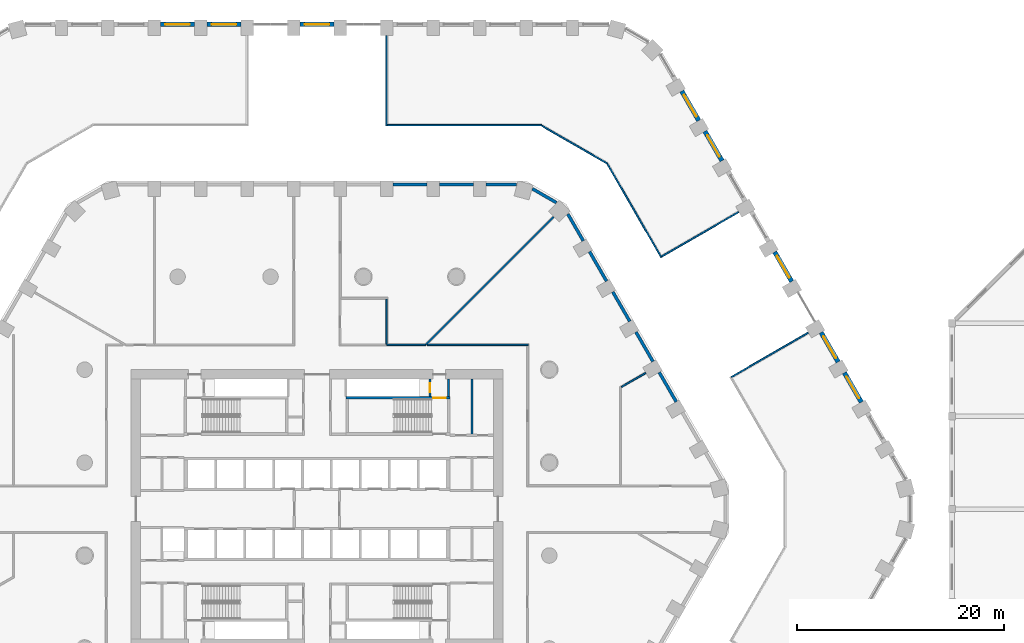
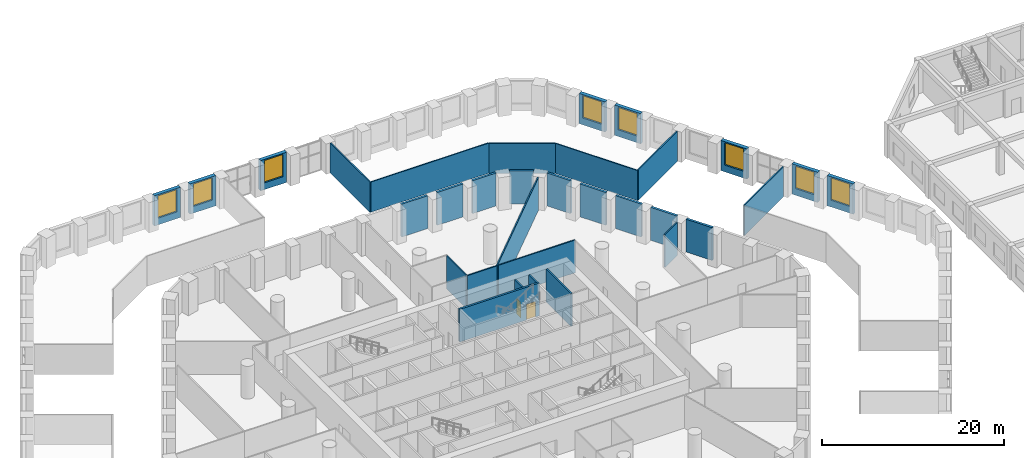
# One storey, part 25 of 42: 32 walls, 8 windows, 2 doors, 10 openings.
"""IFC4 building model written with IfcOpenShell, lengths in metres."""

from ifc_helpers import new_model, si_unit, direction, frame, frame_2d, origin, place, context, subcontext, project, spatial, rectangle, extrude, material, layer, layer_set, type_object, element, fill, save


model = new_model("IFC4")

# Units and contexts
model_context = context("Model", 3, precision=1e-05, world=origin(), true_north=direction((0.0, 1.0)))
body_context = subcontext(model_context, "Body", "Model", "MODEL_VIEW")
ifc_project = project(units=[si_unit("LENGTHUNIT", "METRE"), si_unit("AREAUNIT", "SQUARE_METRE"), si_unit("VOLUMEUNIT", "CUBIC_METRE"), si_unit("PLANEANGLEUNIT", "RADIAN"), si_unit("MASSUNIT", "GRAM", prefix="KILO")], contexts=[model_context])

# Site, building, storey
site_placement = place(None, origin())
site = spatial("IfcSite", under=ifc_project, at=site_placement, CompositionType="ELEMENT")
building_placement = place(site_placement, origin())
building = spatial("IfcBuilding", under=site, at=building_placement, Name="Dhurran Vertical Campus", CompositionType="ELEMENT")
storey_placement = place(building_placement, frame((0.0, 0.0, 6.0)))
storey = spatial("IfcBuildingStorey", under=building, at=storey_placement, Name="L01", CompositionType="ELEMENT", Elevation=6.0)

# Wall, opening, window
ifc_material_1 = material(Name="Precast concrete C50/60", Category="concrete")
ifc_layer_1 = layer(ifc_material_1, 0.449951171875)
ifc_layer_set_1 = layer_set([ifc_layer_1], Name="Precast concrete C50/60")
wall_type_1 = type_object("IfcWallType", Name="Precast base wall 450", PredefinedType="SOLIDWALL", material=ifc_layer_set_1)
wall_1_placement = place(storey_placement, frame((52.728759765625, 10.351806640625, 0.0), z_axis=(0.0, 0.0, 1.0), x_axis=(-0.499991515992, 0.866030301974, 0.0)))
wall_1 = element("IfcWall", 1, at=wall_1_placement, inside=storey, type_object=wall_type_1, Name="EW2 L01.28 ring", PredefinedType="SOLIDWALL", context=body_context, shape_type="SweptSolid", body=[
    extrude(rectangle(XDim=3.298828125, YDim=0.449951171875, at=frame_2d((1.6494140625, 0.0))), origin(), (0.0, 0.0, 1.0), 4.050048828125),
])
opening_1_placement = place(wall_1_placement, frame((0.449462890625, 0.0, 0.89990234375)))
opening_1 = element("IfcOpeningElement", 2, at=opening_1_placement, cuts=wall_1, Name="Opening WT2", PredefinedType="OPENING", context=body_context, shape_type="SweptSolid", body=[
    extrude(rectangle(XDim=2.39990234375, YDim=3.0, at=frame_2d((1.199951171875, 1.5))), frame((0.0, 0.23486328125, 0.0), z_axis=(0.0, -1.0, 0.0), x_axis=(1.0, 0.0, 0.0)), (0.0, 0.0, 1.0), 0.469970703125),
])
ifc_material_2 = material(Name="Aluminium frame with solar-control glass", Category="aluminium")
window_type = type_object("IfcWindowType", Name="Podium window 2400 x 3000", PartitioningType="SINGLE_PANEL", PredefinedType="WINDOW", material=ifc_material_2)
window_1_placement = place(opening_1_placement, origin())
window_1 = element("IfcWindow", 3, at=window_1_placement, inside=storey, type_object=window_type, Name="WT2 L01.28 ring", OverallHeight=3.0, OverallWidth=2.39990234375, PartitioningType="SINGLE_PANEL", PredefinedType="WINDOW", context=body_context, shape_type="SweptSolid", body=[
    extrude(rectangle(XDim=2.39990234375, YDim=3.0, at=frame_2d((1.199951171875, 1.5))), frame((0.0, 0.030029296875, 0.0), z_axis=(0.0, -1.0, 0.0), x_axis=(1.0, 0.0, 0.0)), (0.0, 0.0, 1.0), 0.06005859375),
])
fill(opening_1, window_1)

wall_2_placement = place(storey_placement, frame((50.478759765625, 14.248779296875, 0.0), z_axis=(0.0, 0.0, 1.0), x_axis=(-0.49995947208, 0.866048801325, 0.0)))
wall_2 = element("IfcWall", 4, at=wall_2_placement, inside=storey, type_object=wall_type_1, Name="EW2 L01.29 ring", PredefinedType="SOLIDWALL", context=body_context, shape_type="SweptSolid", body=[
    extrude(rectangle(XDim=3.299072265625, YDim=0.449951171875, at=frame_2d((1.6494140625, 0.0))), origin(), (0.0, 0.0, 1.0), 4.050048828125),
])
opening_2_placement = place(wall_2_placement, frame((0.449462890625, 0.0, 0.89990234375)))
opening_2 = element("IfcOpeningElement", 5, at=opening_2_placement, cuts=wall_2, Name="Opening WT2", PredefinedType="OPENING", context=body_context, shape_type="SweptSolid", body=[
    extrude(rectangle(XDim=2.39990234375, YDim=3.0, at=frame_2d((1.199951171875, 1.5))), frame((0.0, 0.23486328125, 0.0), z_axis=(0.0, -1.0, 0.0), x_axis=(1.0, 0.0, 0.0)), (0.0, 0.0, 1.0), 0.469970703125),
])
window_2_placement = place(opening_2_placement, origin())
window_2 = element("IfcWindow", 6, at=window_2_placement, inside=storey, type_object=window_type, Name="WT2 L01.29 ring", OverallHeight=3.0, OverallWidth=2.39990234375, PartitioningType="SINGLE_PANEL", PredefinedType="WINDOW", context=body_context, shape_type="SweptSolid", body=[
    extrude(rectangle(XDim=2.39990234375, YDim=3.0, at=frame_2d((1.199951171875, 1.5))), frame((0.0, 0.030029296875, 0.0), z_axis=(0.0, -1.0, 0.0), x_axis=(1.0, 0.0, 0.0)), (0.0, 0.0, 1.0), 0.06005859375),
])
fill(opening_2, window_2)

wall_3_placement = place(storey_placement, frame((44.329345703125, 24.900146484375, 0.0), z_axis=(0.0, 0.0, 1.0), x_axis=(0.499991515992, -0.866030301974, 0.0)))
wall_3 = element("IfcWall", 7, at=wall_3_placement, inside=storey, type_object=wall_type_1, Name="EW2 L01.31 ring", PredefinedType="SOLIDWALL", context=body_context, shape_type="SweptSolid", body=[
    extrude(rectangle(XDim=3.298828125, YDim=0.449951171875, at=frame_2d((1.6494140625, 0.0))), origin(), (0.0, 0.0, 1.0), 4.050048828125),
])
opening_3_placement = place(wall_3_placement, frame((0.449462890625, 0.0, 0.89990234375)))
opening_3 = element("IfcOpeningElement", 8, at=opening_3_placement, cuts=wall_3, Name="Opening WT2", PredefinedType="OPENING", context=body_context, shape_type="SweptSolid", body=[
    extrude(rectangle(XDim=2.39990234375, YDim=3.0, at=frame_2d((1.199951171875, 1.5))), frame((0.0, 0.23486328125, 0.0), z_axis=(0.0, -1.0, 0.0), x_axis=(1.0, 0.0, 0.0)), (0.0, 0.0, 1.0), 0.469970703125),
])
window_3_placement = place(opening_3_placement, origin())
window_3 = element("IfcWindow", 9, at=window_3_placement, inside=storey, type_object=window_type, Name="WT2 L01.31 ring", OverallHeight=3.0, OverallWidth=2.39990234375, PartitioningType="SINGLE_PANEL", PredefinedType="WINDOW", context=body_context, shape_type="SweptSolid", body=[
    extrude(rectangle(XDim=2.39990234375, YDim=3.0, at=frame_2d((1.199951171875, 1.5))), frame((0.0, 0.030029296875, 0.0), z_axis=(0.0, -1.0, 0.0), x_axis=(1.0, 0.0, 0.0)), (0.0, 0.0, 1.0), 0.06005859375),
])
fill(opening_3, window_3)

wall_4_placement = place(storey_placement, frame((39.228759765625, 33.734619140625, 0.0), z_axis=(0.0, 0.0, 1.0), x_axis=(-0.499991515992, 0.866030301974, 0.0)))
wall_4 = element("IfcWall", 10, at=wall_4_placement, inside=storey, type_object=wall_type_1, Name="EW2 L01.34 ring", PredefinedType="SOLIDWALL", context=body_context, shape_type="SweptSolid", body=[
    extrude(rectangle(XDim=3.298828125, YDim=0.449951171875, at=frame_2d((1.6494140625, 0.0))), origin(), (0.0, 0.0, 1.0), 4.050048828125),
])
opening_4_placement = place(wall_4_placement, frame((0.449462890625, 0.0, 0.89990234375)))
opening_4 = element("IfcOpeningElement", 11, at=opening_4_placement, cuts=wall_4, Name="Opening WT2", PredefinedType="OPENING", context=body_context, shape_type="SweptSolid", body=[
    extrude(rectangle(XDim=2.39990234375, YDim=3.0, at=frame_2d((1.199951171875, 1.5))), frame((0.0, 0.23486328125, 0.0), z_axis=(0.0, -1.0, 0.0), x_axis=(1.0, 0.0, 0.0)), (0.0, 0.0, 1.0), 0.469970703125),
])
window_4_placement = place(opening_4_placement, origin())
window_4 = element("IfcWindow", 12, at=window_4_placement, inside=storey, type_object=window_type, Name="WT2 L01.34 ring", OverallHeight=3.0, OverallWidth=2.39990234375, PartitioningType="SINGLE_PANEL", PredefinedType="WINDOW", context=body_context, shape_type="SweptSolid", body=[
    extrude(rectangle(XDim=2.39990234375, YDim=3.0, at=frame_2d((1.199951171875, 1.5))), frame((0.0, 0.030029296875, 0.0), z_axis=(0.0, -1.0, 0.0), x_axis=(1.0, 0.0, 0.0)), (0.0, 0.0, 1.0), 0.06005859375),
])
fill(opening_4, window_4)

wall_5_placement = place(storey_placement, frame((36.978759765625, 37.631591796875, 0.0), z_axis=(0.0, 0.0, 1.0), x_axis=(-0.499991515992, 0.866030301974, 0.0)))
wall_5 = element("IfcWall", 13, at=wall_5_placement, inside=storey, type_object=wall_type_1, Name="EW2 L01.35 ring", PredefinedType="SOLIDWALL", context=body_context, shape_type="SweptSolid", body=[
    extrude(rectangle(XDim=3.298828125, YDim=0.449951171875, at=frame_2d((1.6494140625, 0.0))), origin(), (0.0, 0.0, 1.0), 4.050048828125),
])
opening_5_placement = place(wall_5_placement, frame((0.449462890625, 0.0, 0.89990234375)))
opening_5 = element("IfcOpeningElement", 14, at=opening_5_placement, cuts=wall_5, Name="Opening WT2", PredefinedType="OPENING", context=body_context, shape_type="SweptSolid", body=[
    extrude(rectangle(XDim=2.39990234375, YDim=3.0, at=frame_2d((1.199951171875, 1.5))), frame((0.0, 0.23486328125, 0.0), z_axis=(0.0, -1.0, 0.0), x_axis=(1.0, 0.0, 0.0)), (0.0, 0.0, 1.0), 0.469970703125),
])
window_5_placement = place(opening_5_placement, origin())
window_5 = element("IfcWindow", 15, at=window_5_placement, inside=storey, type_object=window_type, Name="WT2 L01.35 ring", OverallHeight=3.0, OverallWidth=2.39990234375, PartitioningType="SINGLE_PANEL", PredefinedType="WINDOW", context=body_context, shape_type="SweptSolid", body=[
    extrude(rectangle(XDim=2.39990234375, YDim=3.0, at=frame_2d((1.199951171875, 1.5))), frame((0.0, 0.030029296875, 0.0), z_axis=(0.0, -1.0, 0.0), x_axis=(1.0, 0.0, 0.0)), (0.0, 0.0, 1.0), 0.06005859375),
])
fill(opening_5, window_5)

wall_6_placement = place(storey_placement, frame((-1.6494140625, 46.943359375, 0.0), z_axis=(0.0, 0.0, 1.0), x_axis=(1.0, 0.0, 0.0)))
wall_6 = element("IfcWall", 16, at=wall_6_placement, inside=storey, type_object=wall_type_1, Name="EW2 L01.44 ring", PredefinedType="SOLIDWALL", context=body_context, shape_type="SweptSolid", body=[
    extrude(rectangle(XDim=3.298828125, YDim=0.449951171875, at=frame_2d((1.6494140625, 0.0))), origin(), (0.0, 0.0, 1.0), 4.050048828125),
])
opening_6_placement = place(wall_6_placement, frame((0.449462890625, 0.0, 0.89990234375)))
opening_6 = element("IfcOpeningElement", 17, at=opening_6_placement, cuts=wall_6, Name="Opening WT2", PredefinedType="OPENING", context=body_context, shape_type="SweptSolid", body=[
    extrude(rectangle(XDim=2.39990234375, YDim=3.0, at=frame_2d((1.199951171875, 1.5))), frame((0.0, 0.23486328125, 0.0), z_axis=(0.0, -1.0, 0.0), x_axis=(1.0, 0.0, 0.0)), (0.0, 0.0, 1.0), 0.469970703125),
])
window_6_placement = place(opening_6_placement, origin())
window_6 = element("IfcWindow", 18, at=window_6_placement, inside=storey, type_object=window_type, Name="WT2 L01.44 ring", OverallHeight=3.0, OverallWidth=2.39990234375, PartitioningType="SINGLE_PANEL", PredefinedType="WINDOW", context=body_context, shape_type="SweptSolid", body=[
    extrude(rectangle(XDim=2.39990234375, YDim=3.0, at=frame_2d((1.199951171875, 1.5))), frame((0.0, 0.030029296875, 0.0), z_axis=(0.0, -1.0, 0.0), x_axis=(1.0, 0.0, 0.0)), (0.0, 0.0, 1.0), 0.06005859375),
])
fill(opening_6, window_6)

wall_7_placement = place(storey_placement, frame((-7.3505859375, 46.943359375, 0.0), z_axis=(0.0, 0.0, 1.0), x_axis=(-1.0, 0.0, 0.0)))
wall_7 = element("IfcWall", 19, at=wall_7_placement, inside=storey, type_object=wall_type_1, Name="EW2 L01.46 ring", PredefinedType="SOLIDWALL", context=body_context, shape_type="SweptSolid", body=[
    extrude(rectangle(XDim=3.298828125, YDim=0.449951171875, at=frame_2d((1.6494140625, 0.0))), origin(), (0.0, 0.0, 1.0), 4.050048828125),
])
opening_7_placement = place(wall_7_placement, frame((0.449462890625, 0.0, 0.89990234375)))
opening_7 = element("IfcOpeningElement", 20, at=opening_7_placement, cuts=wall_7, Name="Opening WT2", PredefinedType="OPENING", context=body_context, shape_type="SweptSolid", body=[
    extrude(rectangle(XDim=2.39990234375, YDim=3.0, at=frame_2d((1.199951171875, 1.5))), frame((0.0, 0.23486328125, 0.0), z_axis=(0.0, -1.0, 0.0), x_axis=(1.0, 0.0, 0.0)), (0.0, 0.0, 1.0), 0.469970703125),
])
window_7_placement = place(opening_7_placement, origin())
window_7 = element("IfcWindow", 21, at=window_7_placement, inside=storey, type_object=window_type, Name="WT2 L01.46 ring", OverallHeight=3.0, OverallWidth=2.39990234375, PartitioningType="SINGLE_PANEL", PredefinedType="WINDOW", context=body_context, shape_type="SweptSolid", body=[
    extrude(rectangle(XDim=2.39990234375, YDim=3.0, at=frame_2d((1.199951171875, 1.5))), frame((0.0, 0.030029296875, 0.0), z_axis=(0.0, -1.0, 0.0), x_axis=(1.0, 0.0, 0.0)), (0.0, 0.0, 1.0), 0.06005859375),
])
fill(opening_7, window_7)

wall_8_placement = place(storey_placement, frame((-11.8505859375, 46.943359375, 0.0), z_axis=(0.0, 0.0, 1.0), x_axis=(-1.0, 0.0, 0.0)))
wall_8 = element("IfcWall", 22, at=wall_8_placement, inside=storey, type_object=wall_type_1, Name="EW2 L01.47 ring", PredefinedType="SOLIDWALL", context=body_context, shape_type="SweptSolid", body=[
    extrude(rectangle(XDim=3.298828125, YDim=0.449951171875, at=frame_2d((1.6494140625, 0.0))), origin(), (0.0, 0.0, 1.0), 4.050048828125),
])
opening_8_placement = place(wall_8_placement, frame((0.449462890625, 0.0, 0.89990234375)))
opening_8 = element("IfcOpeningElement", 23, at=opening_8_placement, cuts=wall_8, Name="Opening WT2", PredefinedType="OPENING", context=body_context, shape_type="SweptSolid", body=[
    extrude(rectangle(XDim=2.39990234375, YDim=3.0, at=frame_2d((1.199951171875, 1.5))), frame((0.0, 0.23486328125, 0.0), z_axis=(0.0, -1.0, 0.0), x_axis=(1.0, 0.0, 0.0)), (0.0, 0.0, 1.0), 0.469970703125),
])
window_8_placement = place(opening_8_placement, origin())
window_8 = element("IfcWindow", 24, at=window_8_placement, inside=storey, type_object=window_type, Name="WT2 L01.47 ring", OverallHeight=3.0, OverallWidth=2.39990234375, PartitioningType="SINGLE_PANEL", PredefinedType="WINDOW", context=body_context, shape_type="SweptSolid", body=[
    extrude(rectangle(XDim=2.39990234375, YDim=3.0, at=frame_2d((1.199951171875, 1.5))), frame((0.0, 0.030029296875, 0.0), z_axis=(0.0, -1.0, 0.0), x_axis=(1.0, 0.0, 0.0)), (0.0, 0.0, 1.0), 0.06005859375),
])
fill(opening_8, window_8)

# Walls
ifc_material_3 = material(Name="Precast concrete C50/60", Category="concrete")
ifc_layer_2 = layer(ifc_material_3, 0.300048828125)
ifc_layer_set_2 = layer_set([ifc_layer_2], Name="Precast concrete C50/60")
wall_type_2 = type_object("IfcWallType", Name="Precast interior wall 300", PredefinedType="SOLIDWALL", material=ifc_layer_set_2)
for number, where, z_axis, x_axis, name in (
    (25, (34.793701171875, 10.389404296875, 0.0), (0.0, 0.0, 1.0), (-0.499991515992, 0.866030301974, 0.0), "EW5 L01.20"),
    (26, (32.543701171875, 14.286376953125, 0.0), (0.0, 0.0, 1.0), (-0.499991515992, 0.866030301974, 0.0), "EW5 L01.21"),
    (27, (30.293701171875, 18.18359375, 0.0), (0.0, 0.0, 1.0), (-0.499991515992, 0.866030301974, 0.0), "EW5 L01.22"),
    (28, (28.043701171875, 22.08056640625, 0.0), (0.0, 0.0, 1.0), (-0.499991515992, 0.866030301974, 0.0), "EW5 L01.23"),
):
    element("IfcWall", number, at=place(storey_placement, frame(where, z_axis=z_axis, x_axis=x_axis)), inside=storey, type_object=wall_type_2, Name=name, PredefinedType="SOLIDWALL", context=body_context, shape_type="SweptSolid", body=[
        extrude(rectangle(XDim=3.298828125, YDim=0.300048828125, at=frame_2d((1.6494140625, 0.0))), origin(), (0.0, 0.0, 1.0), 4.39990234375),
    ])
wall_9_placement = place(storey_placement, frame((25.793701171875, 25.977783203125, 0.0), z_axis=(0.0, 0.0, 1.0), x_axis=(-0.49999586137, 0.866027793211, 0.0)))
element("IfcWall", 29, at=wall_9_placement, inside=storey, type_object=wall_type_2, Name="EW5 L01.24", PredefinedType="SOLIDWALL", context=body_context, shape_type="SweptSolid", body=[
    extrude(rectangle(XDim=2.98876953125, YDim=0.300048828125, at=frame_2d((1.494384765625, 0.0))), origin(), (0.0, 0.0, 1.0), 4.39990234375),
])
wall_10_placement = place(storey_placement, frame((23.183349609375, 29.681884765625, 0.0), z_axis=(0.0, 0.0, 1.0), x_axis=(-0.866001915448, 0.500040680786, 0.0)))
element("IfcWall", 30, at=wall_10_placement, inside=storey, type_object=wall_type_2, Name="EW5 L01.25", PredefinedType="SOLIDWALL", context=body_context, shape_type="SweptSolid", body=[
    extrude(rectangle(XDim=2.678466796875, YDim=0.300048828125, at=frame_2d((1.33935546875, 0.0))), origin(), (0.0, 0.0, 1.0), 4.39990234375),
])
wall_11_placement = place(storey_placement, frame((19.33935546875, 31.4296875, 0.0), z_axis=(0.0, 0.0, 1.0), x_axis=(-1.0, 0.0, 0.0)))
element("IfcWall", 31, at=wall_11_placement, inside=storey, type_object=wall_type_2, Name="EW5 L01.26", PredefinedType="SOLIDWALL", context=body_context, shape_type="SweptSolid", body=[
    extrude(rectangle(XDim=2.98876953125, YDim=0.300048828125, at=frame_2d((1.494384765625, 0.0))), origin(), (0.0, 0.0, 1.0), 4.39990234375),
])
for number, where, z_axis, x_axis, name in (
    (32, (15.1494140625, 31.4296875, 0.0), (0.0, 0.0, 1.0), (-1.0, 0.0, 0.0), "EW5 L01.27"),
    (33, (10.6494140625, 31.4296875, 0.0), (0.0, 0.0, 1.0), (-1.0, 0.0, 0.0), "EW5 L01.28"),
):
    element("IfcWall", number, at=place(storey_placement, frame(where, z_axis=z_axis, x_axis=x_axis)), inside=storey, type_object=wall_type_2, Name=name, PredefinedType="SOLIDWALL", context=body_context, shape_type="SweptSolid", body=[
        extrude(rectangle(XDim=3.298828125, YDim=0.300048828125, at=frame_2d((1.6494140625, 0.0))), origin(), (0.0, 0.0, 1.0), 4.39990234375),
    ])
ifc_material_4 = material(Name="Fire-rated masonry blockwork", Category="masonry")
ifc_layer_3 = layer(ifc_material_4, 0.199951171875)
ifc_layer_set_3 = layer_set([ifc_layer_3], Name="Fire-rated masonry blockwork")
wall_type_3 = type_object("IfcWallType", Name="co-FIRE-PARTITION-200", PredefinedType="PARTITIONING", material=ifc_layer_set_3)
wall_12_placement = place(storey_placement, frame((12.75, 10.89990234375, 0.0), z_axis=(0.0, 0.0, 1.0), x_axis=(0.0, 1.0, 0.0)))
element("IfcWall", 34, at=wall_12_placement, inside=storey, type_object=wall_type_3, Name="Core partition pass-ST2-o L01", PredefinedType="PARTITIONING", context=body_context, shape_type="SweptSolid", body=[
    extrude(rectangle(XDim=1.7001953125, YDim=0.199951171875, at=frame_2d((0.85009765625, 0.0))), origin(), (0.0, 0.0, 1.0), 4.39990234375),
])

# Wall, opening, door
wall_13_placement = place(storey_placement, frame((10.949951171875, 10.89990234375, 0.0), z_axis=(0.0, 0.0, 1.0), x_axis=(0.0, 1.0, 0.0)))
wall_13 = element("IfcWall", 35, at=wall_13_placement, inside=storey, type_object=wall_type_3, Name="Core partition pass-ST2-i L01", PredefinedType="PARTITIONING", context=body_context, shape_type="SweptSolid", body=[
    extrude(rectangle(XDim=1.7001953125, YDim=0.199951171875, at=frame_2d((0.85009765625, 0.0))), origin(), (0.0, 0.0, 1.0), 4.39990234375),
])
opening_9_placement = place(wall_13_placement, frame((0.39990234375, 0.0, 0.0)))
opening_9 = element("IfcOpeningElement", 36, at=opening_9_placement, cuts=wall_13, Name="Opening PD01-C9", PredefinedType="OPENING", context=body_context, shape_type="SweptSolid", body=[
    extrude(rectangle(XDim=0.89990234375, YDim=2.10009765625, at=frame_2d((0.449951171875, 1.050048828125))), frame((0.0, 0.10986328125, 0.0), z_axis=(0.0, -1.0, 0.0), x_axis=(1.0, 0.0, 0.0)), (0.0, 0.0, 1.0), 0.219970703125),
])
ifc_material_5 = material(Name="Fire-rated timber door set", Category="wood")
door_type_1 = type_object("IfcDoorType", Name="co-D-ROOM 900x2100", OperationType="SINGLE_SWING_LEFT", PredefinedType="DOOR", material=ifc_material_5)
door_1_placement = place(opening_9_placement, origin())
door_1 = element("IfcDoor", 37, at=door_1_placement, inside=storey, type_object=door_type_1, Name="Riser room door L01", OperationType="SINGLE_SWING_LEFT", OverallHeight=2.10009765625, OverallWidth=0.89990234375, PredefinedType="DOOR", context=body_context, shape_type="SweptSolid", body=[
    extrude(rectangle(XDim=0.89990234375, YDim=2.10009765625, at=frame_2d((0.449951171875, 1.050048828125))), frame((0.0, 0.02490234375, 0.0), z_axis=(0.0, -1.0, 0.0), x_axis=(1.0, 0.0, 0.0)), (0.0, 0.0, 1.0), 0.050048828125),
])
fill(opening_9, door_1)

# Wall
wall_14_placement = place(storey_placement, frame((15.0, 7.14990234375, 0.0), z_axis=(0.0, 0.0, 1.0), x_axis=(0.0, 1.0, 0.0)))
element("IfcWall", 38, at=wall_14_placement, inside=storey, type_object=wall_type_3, Name="Core partition en-NE-cut0 L01", PredefinedType="PARTITIONING", context=body_context, shape_type="SweptSolid", body=[
    extrude(rectangle(XDim=5.4501953125, YDim=0.199951171875, at=frame_2d((2.72509765625, 0.0))), origin(), (0.0, 0.0, 1.0), 4.39990234375),
])

# Wall, opening, door
ifc_material_6 = material(Name="Concrete C40/50", Category="concrete")
ifc_layer_4 = layer(ifc_material_6, 0.25)
ifc_layer_set_4 = layer_set([ifc_layer_4], Name="Concrete C40/50")
wall_type_4 = type_object("IfcWallType", Name="co-STAIR-WALL-250", PredefinedType="SHEAR", material=ifc_layer_set_4)
wall_15_placement = place(storey_placement, frame((2.800048828125, 10.77490234375, 0.0), z_axis=(0.0, 0.0, 1.0), x_axis=(1.0, 0.0, 0.0)))
wall_15 = element("IfcWall", 39, at=wall_15_placement, inside=storey, type_object=wall_type_4, Name="Stair ST2 enclosure wall L01", PredefinedType="SHEAR", context=body_context, shape_type="SweptSolid", body=[
    extrude(rectangle(XDim=10.099853515625, YDim=0.25, at=frame_2d((5.0498046875, 0.0))), origin(), (0.0, 0.0, 1.0), 4.39990234375),
])
opening_10_placement = place(wall_15_placement, frame((8.449951171875, 0.0, 0.0)))
opening_10 = element("IfcOpeningElement", 40, at=opening_10_placement, cuts=wall_15, Name="Opening XS2", PredefinedType="OPENING", context=body_context, shape_type="SweptSolid", body=[
    extrude(rectangle(XDim=1.199951171875, YDim=2.10009765625, at=frame_2d((0.60009765625, 1.050048828125))), frame((0.0, 0.135009765625, 0.0), z_axis=(0.0, -1.0, 0.0), x_axis=(1.0, 0.0, 0.0)), (0.0, 0.0, 1.0), 0.27001953125),
])
ifc_material_7 = material(Name="Fire-rated steel door set", Category="steel")
door_type_2 = type_object("IfcDoorType", Name="co-D-STAIR-EXIT 1200x2100", OperationType="SINGLE_SWING_RIGHT", PredefinedType="DOOR", material=ifc_material_7)
door_2_placement = place(opening_10_placement, origin())
door_2 = element("IfcDoor", 41, at=door_2_placement, inside=storey, type_object=door_type_2, Name="Stair ST2 discharge door L01", OperationType="SINGLE_SWING_RIGHT", OverallHeight=2.10009765625, OverallWidth=1.199951171875, PredefinedType="DOOR", context=body_context, shape_type="SweptSolid", body=[
    extrude(rectangle(XDim=1.199951171875, YDim=2.10009765625, at=frame_2d((0.60009765625, 1.050048828125))), frame((0.0, 0.02490234375, 0.0), z_axis=(0.0, -1.0, 0.0), x_axis=(1.0, 0.0, 0.0)), (0.0, 0.0, 1.0), 0.050048828125),
])
fill(opening_10, door_2)

# Walls
ifc_material_8 = material(Name="Gypsum board corridor wall on steel studs", Category="steel")
ifc_layer_5 = layer(ifc_material_8, 0.14990234375)
ifc_layer_set_5 = layer_set([ifc_layer_5], Name="Gypsum board corridor wall on steel studs")
wall_type_5 = type_object("IfcWallType", Name="fl-CW-150 corridor wall", PredefinedType="PARTITIONING", material=ifc_layer_set_5)
wall_16_placement = place(storey_placement, frame((6.75, 45.848388671875, 0.0), z_axis=(0.0, 0.0, 1.0), x_axis=(0.0, -1.0, 0.0)))
element("IfcWall", 42, at=wall_16_placement, inside=storey, type_object=wall_type_5, Name="Partition 01-R54", PredefinedType="PARTITIONING", context=body_context, shape_type="SweptSolid", body=[
    extrude(rectangle(XDim=8.743408203125, YDim=0.14990234375, at=frame_2d((4.37158203125, 0.0))), origin(), (0.0, 0.0, 1.0), 4.050048828125),
])
wall_17_placement = place(storey_placement, frame((6.824951171875, 37.179931640625, 0.0), z_axis=(0.0, 0.0, 1.0), x_axis=(1.0, 0.0, 0.0)))
element("IfcWall", 43, at=wall_17_placement, inside=storey, type_object=wall_type_5, Name="Partition 01-R55", PredefinedType="PARTITIONING", context=body_context, shape_type="SweptSolid", body=[
    extrude(rectangle(XDim=14.947021484375, YDim=0.14990234375, at=frame_2d((7.4736328125, 0.0))), origin(), (0.0, 0.0, 1.0), 4.050048828125),
])
wall_18_placement = place(storey_placement, frame((21.78369140625, 37.1298828125, 0.0), z_axis=(0.0, 0.0, 1.0), x_axis=(0.866011067739, -0.500024829938, 0.0)))
element("IfcWall", 44, at=wall_18_placement, inside=storey, type_object=wall_type_5, Name="Partition 01-R67", PredefinedType="PARTITIONING", context=body_context, shape_type="SweptSolid", body=[
    extrude(rectangle(XDim=7.338623046875, YDim=0.14990234375, at=frame_2d((3.66943359375, 0.0))), origin(), (0.0, 0.0, 1.0), 4.050048828125),
])
wall_19_placement = place(storey_placement, frame((28.137451171875, 33.418212890625, 0.0), z_axis=(0.0, 0.0, 1.0), x_axis=(0.500054877109, -0.865993718152, 0.0)))
element("IfcWall", 45, at=wall_19_placement, inside=storey, type_object=wall_type_5, Name="Partition 01-R69", PredefinedType="PARTITIONING", context=body_context, shape_type="SweptSolid", body=[
    extrude(rectangle(XDim=10.447021484375, YDim=0.14990234375, at=frame_2d((5.2236328125, 0.0))), origin(), (0.0, 0.0, 1.0), 4.050048828125),
])
wall_20_placement = place(storey_placement, frame((33.388916015625, 24.473388671875, 0.0), z_axis=(0.0, 0.0, 1.0), x_axis=(0.866015728299, 0.500016758057, 0.0)))
element("IfcWall", 46, at=wall_20_placement, inside=storey, type_object=wall_type_5, Name="Partition 01-R77", PredefinedType="PARTITIONING", context=body_context, shape_type="SweptSolid", body=[
    extrude(rectangle(XDim=8.593017578125, YDim=0.14990234375, at=frame_2d((4.29638671875, 0.0))), origin(), (0.0, 0.0, 1.0), 4.050048828125),
])
wall_21_placement = place(storey_placement, frame((47.580810546875, 17.078125, 0.0), z_axis=(0.0, 0.0, 1.0), x_axis=(-0.866022831428, -0.500004455426, 0.0)))
element("IfcWall", 47, at=wall_21_placement, inside=storey, type_object=wall_type_5, Name="Partition 01-R81", PredefinedType="PARTITIONING", context=body_context, shape_type="SweptSolid", body=[
    extrude(rectangle(XDim=8.59326171875, YDim=0.14990234375, at=frame_2d((4.296630859375, 0.0))), origin(), (0.0, 0.0, 1.0), 4.050048828125),
])
wall_22_placement = place(storey_placement, frame((10.51708984375, 15.89990234375, 0.0), z_axis=(0.0, 0.0, 1.0), x_axis=(-1.0, 0.0, 0.0)))
element("IfcWall", 48, at=wall_22_placement, inside=storey, type_object=wall_type_5, Name="Partition 01-33", PredefinedType="PARTITIONING", context=body_context, shape_type="SweptSolid", body=[
    extrude(rectangle(XDim=3.76708984375, YDim=0.14990234375, at=frame_2d((1.883544921875, 0.0))), origin(), (0.0, 0.0, 1.0), 4.39990234375),
])
wall_23_placement = place(storey_placement, frame((20.47509765625, 15.89990234375, 0.0), z_axis=(0.0, 0.0, 1.0), x_axis=(-1.0, 0.0, 0.0)))
element("IfcWall", 49, at=wall_23_placement, inside=storey, type_object=wall_type_5, Name="Partition 01-34", PredefinedType="PARTITIONING", context=body_context, shape_type="SweptSolid", body=[
    extrude(rectangle(XDim=9.783203125, YDim=0.14990234375, at=frame_2d((4.8916015625, 0.0))), origin(), (0.0, 0.0, 1.0), 4.39990234375),
])
ifc_material_9 = material(Name="Gypsum board partition on steel studs", Category="steel")
ifc_layer_6 = layer(ifc_material_9, 0.14990234375)
ifc_layer_set_6 = layer_set([ifc_layer_6], Name="Gypsum board partition on steel studs")
wall_type_6 = type_object("IfcWallType", Name="fl-PW-150 fixed partition", PredefinedType="PARTITIONING", material=ifc_layer_set_6)
wall_24_placement = place(storey_placement, frame((6.75, 20.324951171875, 0.0), z_axis=(0.0, 0.0, 1.0), x_axis=(0.0, -1.0, 0.0)))
element("IfcWall", 50, at=wall_24_placement, inside=storey, type_object=wall_type_6, Name="Partition 01-32", PredefinedType="PARTITIONING", context=body_context, shape_type="SweptSolid", body=[
    extrude(rectangle(XDim=4.349853515625, YDim=0.14990234375, at=frame_2d((2.1748046875, 0.0))), origin(), (0.0, 0.0, 1.0), 4.39990234375),
])
wall_25_placement = place(storey_placement, frame((22.93017578125, 28.31298828125, 0.0), z_axis=(0.0, 0.0, 1.0), x_axis=(-0.707106781187, -0.707106781187, 0.0)))
element("IfcWall", 51, at=wall_25_placement, inside=storey, type_object=wall_type_6, Name="Partition 01-35", PredefinedType="PARTITIONING", context=body_context, shape_type="SweptSolid", body=[
    extrude(rectangle(XDim=17.479736328125, YDim=0.14990234375, at=frame_2d((8.73974609375, 0.0))), origin(), (0.0, 0.0, 1.0), 4.39990234375),
])
wall_26_placement = place(storey_placement, frame((31.830810546875, 13.181396484375, 0.0), z_axis=(0.0, 0.0, 1.0), x_axis=(-0.865991810323, -0.500058181068, 0.0)))
element("IfcWall", 52, at=wall_26_placement, inside=storey, type_object=wall_type_6, Name="Partition 01-46", PredefinedType="PARTITIONING", context=body_context, shape_type="SweptSolid", body=[
    extrude(rectangle(XDim=2.706787109375, YDim=0.14990234375, at=frame_2d((1.353515625, 0.0))), origin(), (0.0, 0.0, 1.0), 4.39990234375),
])

save(model, "model.ifc")
